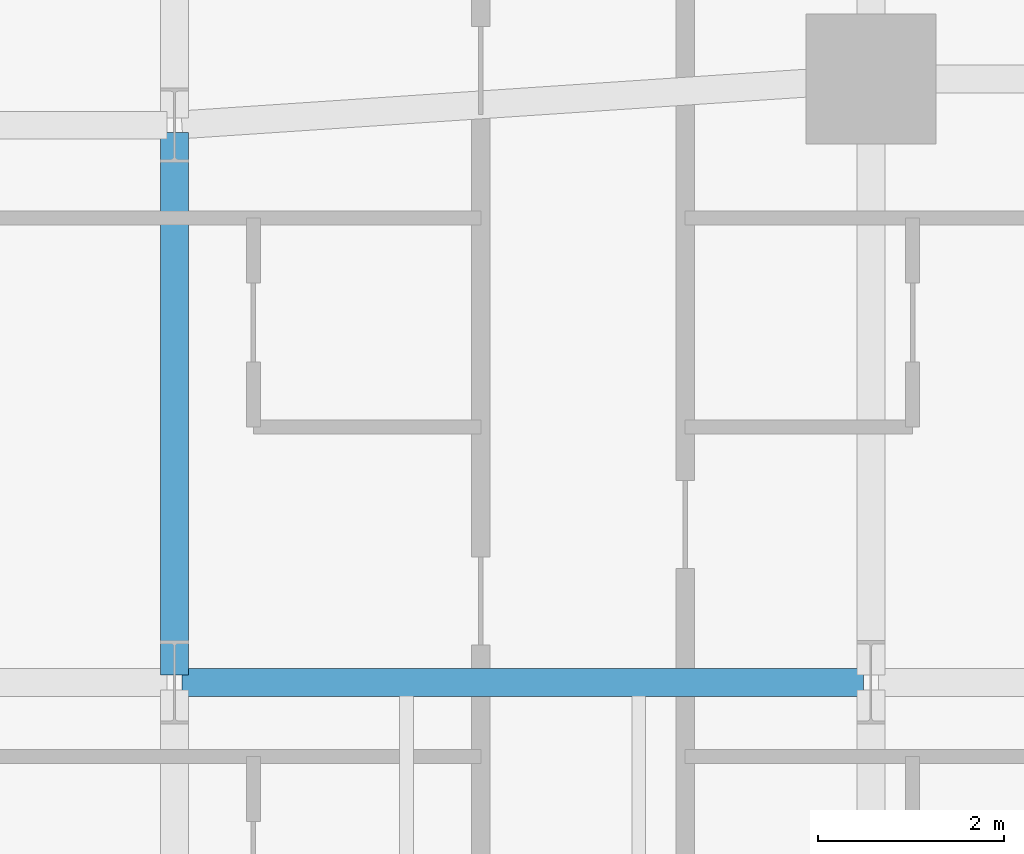
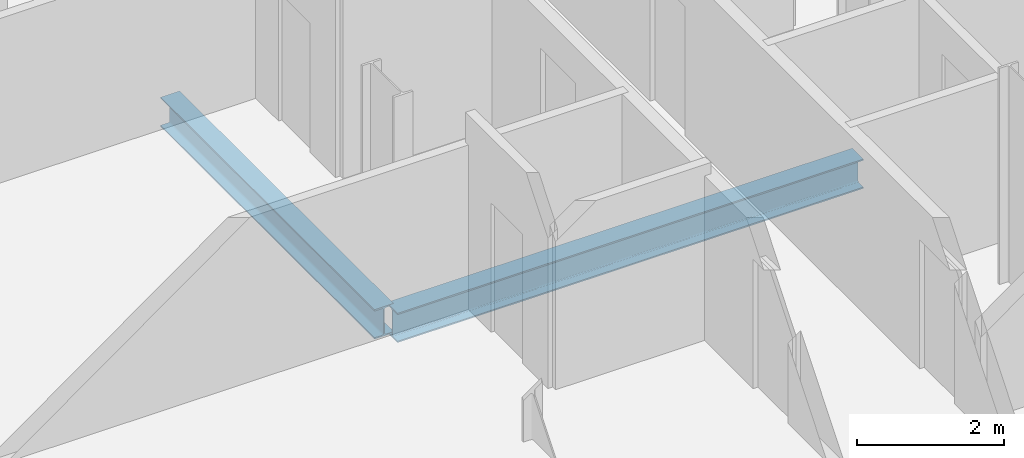
# One storey, part 10 of 33: 2 beams.
"""IFC4 building model written with IfcOpenShell, lengths in metres."""

from ifc_helpers import new_model, si_unit, direction, frame, origin, origin_2d, place, context, subcontext, project, spatial, i_section, extrude, material, material_profile, profile_set, type_object, element, save


model = new_model("IFC4")

# Units and contexts
model_context = context("Model", 3, precision=1e-05, world=origin(), true_north=direction((0.0, 1.0)))
body_context = subcontext(model_context, "Body", "Model", "MODEL_VIEW")
ifc_project = project(units=[si_unit("LENGTHUNIT", "METRE"), si_unit("AREAUNIT", "SQUARE_METRE"), si_unit("VOLUMEUNIT", "CUBIC_METRE"), si_unit("PLANEANGLEUNIT", "RADIAN"), si_unit("MASSUNIT", "GRAM", prefix="KILO")], contexts=[model_context])

# Site, building, storey
site_placement = place(None, origin())
site = spatial("IfcSite", under=ifc_project, at=site_placement, CompositionType="ELEMENT")
building_placement = place(site_placement, origin())
building = spatial("IfcBuilding", under=site, at=building_placement, Name="Catumbela Crestline Tower", CompositionType="ELEMENT")
storey_placement = place(building_placement, frame((0.0, 0.0, 76.2)))
storey = spatial("IfcBuildingStorey", under=building, at=storey_placement, Name="L19", CompositionType="ELEMENT", Elevation=76.2)

# Beams
ifc_material = material(Name="Structural steel S355J2", Category="steel")
ifc_material_profile = material_profile(ifc_material, i_section(OverallWidth=0.3, OverallDepth=0.49, WebThickness=0.012, FlangeThickness=0.023, FilletRadius=0.027, at=origin_2d()), Name="HEA 500")
ifc_profile_set = profile_set([ifc_material_profile], Name="Structural steel S355J2")
beam_type = type_object("IfcBeamType", Name="BG-HEA500", PredefinedType="BEAM", material=ifc_profile_set)
beam_1_placement = place(storey_placement, frame((8.58, 18.0, -0.505), z_axis=(1.0, 0.0, 0.0), x_axis=(0.0, 1.0, 0.0)))
element("IfcBeam", 1, at=beam_1_placement, inside=storey, type_object=beam_type, Name="L19 Beam BM-L19-WEW55", PredefinedType="BEAM", context=body_context, shape_type="SweptSolid", body=[
    extrude(i_section(OverallWidth=0.3, OverallDepth=0.49, WebThickness=0.012, FlangeThickness=0.023, FilletRadius=0.027, at=origin_2d()), origin(), (0.0, 0.0, 1.0), 7.34),
])
beam_2_placement = place(storey_placement, frame((8.5, 18.08, -0.505), z_axis=(0.0, 1.0, 0.0), x_axis=(-1.0, 0.0, 0.0)))
element("IfcBeam", 2, at=beam_2_placement, inside=storey, type_object=beam_type, Name="L19 Beam BM-L19-WNS63", PredefinedType="BEAM", context=body_context, shape_type="SweptSolid", body=[
    extrude(i_section(OverallWidth=0.3, OverallDepth=0.49, WebThickness=0.012, FlangeThickness=0.023, FilletRadius=0.027, at=origin_2d()), origin(), (0.0, 0.0, 1.0), 5.84),
])

save(model, "model.ifc")
